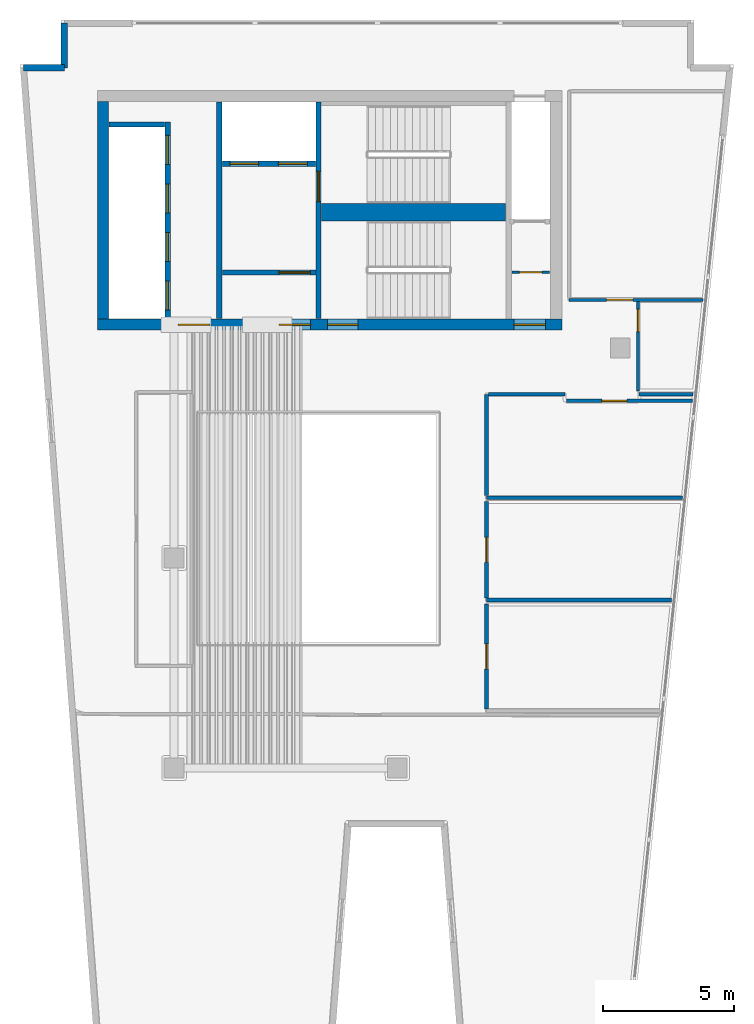
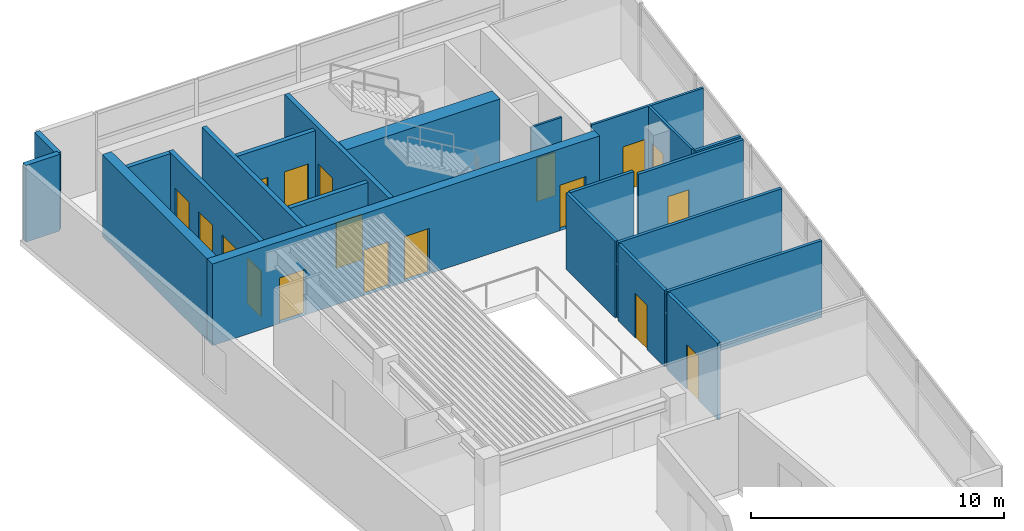
# One storey, part 3 of 6: 22 walls, 18 doors, 18 openings.
"""IFC4 building model written with IfcOpenShell, lengths in metres."""

import ifcopenshell
import ifcopenshell.guid

model = None  # the IFC model being written
_history = None  # IfcOwnerHistory: only IFC2X3 demands one
_inside = {}  # id of a spatial element -> (the spatial element, [elements in it])
_under = {}  # id of a project, library or spatial element -> (it, [spatial elements below it])
_declared = {}  # id of a project -> (the project, [libraries it declares])
_typed = {}  # id of a type object -> (the type object, [elements of that type])
_made_of = {}  # id of a material, layer set ... -> (it, [elements and type objects made of it])


def new_model(schema):
    """Start an empty IFC model of exactly this schema.

    Asked for "IFC4X3", IfcOpenShell would pick the latest addendum, in which some entities
    have other attributes; the version numbers below select the first issue.
    IFC2X3 requires an IfcOwnerHistory on every rooted entity: one is made here for all.
    """
    global model, _history
    if schema == "IFC4X3":
        model = ifcopenshell.file(schema_version=(4, 3, 0, 0))
    else:
        model = ifcopenshell.file(schema=schema)
    _inside.clear()
    _under.clear()
    _declared.clear()
    _typed.clear()
    _made_of.clear()
    _history = None
    if model.schema == "IFC2X3":
        org = make("IfcOrganization", Name="unknown")
        user = make(
            "IfcPersonAndOrganization",
            ThePerson=make("IfcPerson", FamilyName="unknown"),
            TheOrganization=org,
        )
        app = make(
            "IfcApplication",
            ApplicationDeveloper=org,
            Version="unknown",
            ApplicationFullName="unknown",
            ApplicationIdentifier="unknown",
        )
        _history = make(
            "IfcOwnerHistory",
            OwningUser=user,
            OwningApplication=app,
            ChangeAction="ADDED",
            CreationDate=0,
        )
    return model


def make(cls, **values):
    """One entity of the class cls with the attributes given. An attribute that is None is left unset."""
    return model.create_entity(
        cls, **{name: value for name, value in values.items() if value is not None}
    )


def rooted(cls, **values):
    """An entity with a GlobalId (a new one), such as an element, a storey or a relation."""
    return make(cls, GlobalId=ifcopenshell.guid.new(), OwnerHistory=_history, **values)


def si_unit(unit_type, name, prefix=None):
    """IfcSIUnit, for example si_unit("LENGTHUNIT", "METRE", prefix="MILLI")."""
    return make("IfcSIUnit", UnitType=unit_type, Prefix=prefix, Name=name)


def assignment(units):
    """IfcUnitAssignment: the units of a project."""
    return None if units is None else make("IfcUnitAssignment", Units=units)


def point(xyz):
    """IfcCartesianPoint."""
    return None if xyz is None else make("IfcCartesianPoint", Coordinates=xyz)


def direction(xyz):
    """IfcDirection."""
    return None if xyz is None else make("IfcDirection", DirectionRatios=xyz)


def frame(location, z_axis=None, x_axis=None):
    """IfcAxis2Placement3D, a coordinate frame: its origin and axes. An axis left out is left unset."""
    return make(
        "IfcAxis2Placement3D",
        Location=point(location),
        Axis=direction(z_axis),
        RefDirection=direction(x_axis),
    )


def frame_2d(location, x_axis=None):
    """IfcAxis2Placement2D, a coordinate frame in the plane: its origin and x axis."""
    return make(
        "IfcAxis2Placement2D", Location=point(location), RefDirection=direction(x_axis)
    )


def origin():
    """The frame at (0, 0, 0) with its axes left unset."""
    return frame((0.0, 0.0, 0.0))


def place(relative_to, where):
    """IfcLocalPlacement: puts the frame where relative to a parent placement (None: the world)."""
    return make(
        "IfcLocalPlacement", PlacementRelTo=relative_to, RelativePlacement=where
    )


def context(
    kind, dimensions, precision=None, world=None, true_north=None, identifier=None
):
    """IfcGeometricRepresentationContext, for example the 3D "Model" context."""
    return make(
        "IfcGeometricRepresentationContext",
        ContextIdentifier=identifier,
        ContextType=kind,
        CoordinateSpaceDimension=dimensions,
        Precision=precision,
        WorldCoordinateSystem=world,
        TrueNorth=true_north,
    )


def subcontext(parent, identifier, kind, view, scale=None):
    """IfcGeometricRepresentationSubContext, for example "Body" below "Model"."""
    return make(
        "IfcGeometricRepresentationSubContext",
        ContextIdentifier=identifier,
        ContextType=kind,
        ParentContext=parent,
        TargetScale=scale,
        TargetView=view,
    )


def project(units=None, contexts=None):
    """IfcProject with its units and contexts."""
    return rooted(
        "IfcProject",
        Name="project",
        RepresentationContexts=contexts,
        UnitsInContext=assignment(units),
    )


def spatial(cls, under=None, at=None, **own):
    """A site, building, storey or space (cls), placed at a placement, below another one or the project."""
    s = rooted(cls, ObjectPlacement=at, **own)
    if under is not None:
        _under.setdefault(under.id(), (under, []))[1].append(s)
    return s


def profile(cls, at=None, kind="AREA", **sizes):
    """A parametric profile (cls). Its sizes go by their IFC names, for example OverallWidth=200.0."""
    return make(cls, ProfileType=kind, Position=at, **sizes)


def rectangle(**sizes):
    """IfcRectangleProfileDef."""
    return profile("IfcRectangleProfileDef", **sizes)


def extrude(swept, where, along, depth):
    """IfcExtrudedAreaSolid: the profile swept, set in the frame where, extruded along a direction by depth."""
    return make(
        "IfcExtrudedAreaSolid",
        SweptArea=swept,
        Position=where,
        ExtrudedDirection=direction(along),
        Depth=depth,
    )


def shape(context_of_items, identifier, shape_type, items):
    """IfcShapeRepresentation: the items that make up one representation, for example the "Body"."""
    return make(
        "IfcShapeRepresentation",
        ContextOfItems=context_of_items,
        RepresentationIdentifier=identifier,
        RepresentationType=shape_type,
        Items=items,
    )


def material(Name=None, Category=None):
    """IfcMaterial."""
    return make("IfcMaterial", Name=Name, Category=Category)


def layer(
    of_material, thickness, ventilated=None, Name=None, Category=None, Priority=None
):
    """IfcMaterialLayer: one layer of a wall or slab, of a material (None: an air gap)."""
    return make(
        "IfcMaterialLayer",
        Material=of_material,
        LayerThickness=thickness,
        IsVentilated=ventilated,
        Name=Name,
        Category=Category,
        Priority=Priority,
    )


def layer_set(layers, Name=None):
    """IfcMaterialLayerSet."""
    return make("IfcMaterialLayerSet", MaterialLayers=layers, LayerSetName=Name)


def made_of(thing, what):
    """Note that an element or type object is made of a material, layer set ...; save() writes the relation."""
    if what is not None:
        _made_of.setdefault(what.id(), (what, []))[1].append(thing)
    return thing


def type_object(cls, material=None, **own):
    """A type object (cls), such as IfcWallType, which elements share."""
    return made_of(rooted(cls, **own), material)


def element(
    cls,
    number,
    at=None,
    inside=None,
    cuts=None,
    type_object=None,
    material=None,
    context=None,
    identifier="Body",
    shape_type=None,
    held_by="IfcProductDefinitionShape",
    body=None,
    shapes=None,
    **own,
):
    """One element of the class cls, such as IfcWall. Its Tag is "e" and its number.

    at: its placement. inside: the storey or other place that contains it. cuts: it is an
    opening in that element (IfcRelVoidsElement). A single representation is given by context,
    identifier, shape_type and body (its items); several are given by shapes. held_by: the class
    of the entity that holds the representations. save() writes the other relations.
    """
    e = rooted(cls, Tag="e%d" % number, ObjectPlacement=at, **own)
    if body is not None:
        shapes = [shape(context, identifier, shape_type, body)]
    if shapes is not None:
        e.Representation = make(held_by, Representations=shapes)
    if inside is not None:
        _inside.setdefault(inside.id(), (inside, []))[1].append(e)
    if cuts is not None:
        rooted(
            "IfcRelVoidsElement", RelatingBuildingElement=cuts, RelatedOpeningElement=e
        )
    if type_object is not None:
        _typed.setdefault(type_object.id(), (type_object, []))[1].append(e)
    return made_of(e, material)


def fill(opening, filler):
    """IfcRelFillsElement: the door or window that sits in an opening."""
    return rooted(
        "IfcRelFillsElement",
        RelatingOpeningElement=opening,
        RelatedBuildingElement=filler,
    )


def aggregate(whole, parts):
    """IfcRelAggregates: a whole, such as a stair, and the parts it consists of."""
    return rooted("IfcRelAggregates", RelatingObject=whole, RelatedObjects=parts)


def save(model, path):
    """Write the relations noted so far, then the file.

    IfcRelAggregates (storeys below a building ...), IfcRelContainedInSpatialStructure (elements
    in a storey), IfcRelDefinesByType, IfcRelAssociatesMaterial and IfcRelDeclares: one each for
    every whole, place, type object, material and project.
    """
    for whole, parts in _under.values():
        aggregate(whole, parts)
    for where, things in _inside.values():
        rooted(
            "IfcRelContainedInSpatialStructure",
            RelatedElements=things,
            RelatingStructure=where,
        )
    for kind, things in _typed.values():
        rooted("IfcRelDefinesByType", RelatedObjects=things, RelatingType=kind)
    for what, things in _made_of.values():
        rooted("IfcRelAssociatesMaterial", RelatedObjects=things, RelatingMaterial=what)
    for by, libraries in _declared.values():
        rooted("IfcRelDeclares", RelatingContext=by, RelatedDefinitions=libraries)
    model.write(path)


model = new_model("IFC4")

# Units and contexts
model_context = context("Model", 3, precision=1e-05, world=origin(), true_north=direction((0.0, 1.0)))
body_context = subcontext(model_context, "Body", "Model", "MODEL_VIEW")
ifc_project = project(units=[si_unit("LENGTHUNIT", "METRE"), si_unit("AREAUNIT", "SQUARE_METRE"), si_unit("VOLUMEUNIT", "CUBIC_METRE"), si_unit("PLANEANGLEUNIT", "RADIAN"), si_unit("MASSUNIT", "GRAM", prefix="KILO")], contexts=[model_context])

# Site, building, storey
site_placement = place(None, origin())
site = spatial("IfcSite", under=ifc_project, at=site_placement, CompositionType="ELEMENT")
building_placement = place(site_placement, origin())
building = spatial("IfcBuilding", under=site, at=building_placement, Name="Caeloran Harvest Quay", CompositionType="ELEMENT")
storey_placement = place(building_placement, frame((0.0, 0.0, 296.199951171875)))
storey = spatial("IfcBuildingStorey", under=building, at=storey_placement, Name="L71", CompositionType="ELEMENT", Elevation=296.199951171875)

# Walls
ifc_material_1 = material(Name="Precast concrete C50/60", Category="concrete")
ifc_layer_1 = layer(ifc_material_1, 0.239990234375, Name="Precast concrete C50/60")
ifc_layer_set_1 = layer_set([ifc_layer_1], Name="Precast concrete C50/60")
wall_type_1 = type_object("IfcWallType", Name="ENV-WALL-EW-240", PredefinedType="STANDARD", material=ifc_layer_set_1)
wall_1_placement = place(storey_placement, frame((2.7587890625, 41.679931640625, 0.0), z_axis=(0.0, 0.0, 1.0), x_axis=(1.0, 0.0, 0.0)))
element("IfcWall", 1, at=wall_1_placement, inside=storey, type_object=wall_type_1, Name="L71 Exterior Precast Concrete Facade Wall 4", PredefinedType="STANDARD", context=body_context, shape_type="SweptSolid", body=[
    extrude(rectangle(XDim=1.561279296875, YDim=0.239990234375, at=frame_2d((0.78076171875, 0.0))), origin(), (0.0, 0.0, 1.0), 3.699951171875),
])
wall_2_placement = place(storey_placement, frame((4.320068359375, 41.679931640625, 0.0), z_axis=(0.0, 0.0, 1.0), x_axis=(0.0, 1.0, 0.0)))
element("IfcWall", 2, at=wall_2_placement, inside=storey, type_object=wall_type_1, Name="L71 Exterior Precast Concrete Facade Wall 5", PredefinedType="STANDARD", context=body_context, shape_type="SweptSolid", body=[
    extrude(rectangle(XDim=1.699951171875, YDim=0.239990234375, at=frame_2d((0.85009765625, 0.0))), origin(), (0.0, 0.0, 1.0), 3.699951171875),
])

# Wall, opening, door
ifc_material_2 = material(Name="Fire-Resisting Gypsum Core Riser Partition", Category="gypsum")
ifc_layer_2 = layer(ifc_material_2, 0.10009765625, Name="Fire-Resisting Gypsum Core Riser Partition")
ifc_layer_set_2 = layer_set([ifc_layer_2], Name="Fire-Resisting Gypsum Core Riser Partition")
wall_type_2 = type_object("IfcWallType", Name="INT-WALL-PW-100", PredefinedType="PARTITIONING", material=ifc_layer_set_2)
wall_3_placement = place(storey_placement, frame((21.3798828125, 33.889892578125, 0.0), z_axis=(0.0, 0.0, 1.0), x_axis=(1.0, 0.0, 0.0)))
wall_3 = element("IfcWall", 3, at=wall_3_placement, inside=storey, type_object=wall_type_2, Name="L71 Cleaner Store Partition Wall", PredefinedType="PARTITIONING", context=body_context, shape_type="SweptSolid", body=[
    extrude(rectangle(XDim=1.420166015625, YDim=0.10009765625, at=frame_2d((0.7099609375, 0.0))), origin(), (0.0, 0.0, 1.0), 3.699951171875),
])
opening_1_placement = place(wall_3_placement, frame((0.280029296875, 0.0, 0.0)))
opening_1 = element("IfcOpeningElement", 4, at=opening_1_placement, cuts=wall_3, Name="Opening SV-01", PredefinedType="OPENING", context=body_context, shape_type="SweptSolid", body=[
    extrude(rectangle(XDim=0.85009765625, YDim=2.10009765625, at=frame_2d((0.425048828125, 1.050048828125))), frame((0.0, 0.06005859375, 0.0), z_axis=(0.0, -1.0, 0.0), x_axis=(1.0, 0.0, 0.0)), (0.0, 0.0, 1.0), 0.1201171875),
])
ifc_material_3 = material(Name="Galvanized Painted Steel", Category="steel")
door_type_1 = type_object("IfcDoorType", Name="INTDOOR-SV-01", OperationType="NOTDEFINED", PredefinedType="DOOR", material=ifc_material_3)
door_1_placement = place(opening_1_placement, origin())
door_1 = element("IfcDoor", 5, at=door_1_placement, inside=storey, type_object=door_type_1, Name="L71 Cleaner Supply Store Access Door", OperationType="SINGLE_SWING_RIGHT", OverallHeight=2.10009765625, OverallWidth=0.85009765625, PredefinedType="DOOR", context=body_context, shape_type="SweptSolid", body=[
    extrude(rectangle(XDim=0.85009765625, YDim=2.10009765625, at=frame_2d((0.425048828125, 1.050048828125))), frame((0.0, 0.02490234375, 0.0), z_axis=(0.0, -1.0, 0.0), x_axis=(1.0, 0.0, 0.0)), (0.0, 0.0, 1.0), 0.050048828125),
])
fill(opening_1, door_1)

ifc_material_4 = material(Name="Single-Stud Acoustic Gypsum Office Partition", Category="gypsum")
ifc_layer_3 = layer(ifc_material_4, 0.112060546875, Name="Single-Stud Acoustic Gypsum Office Partition")
ifc_layer_set_3 = layer_set([ifc_layer_3], Name="Single-Stud Acoustic Gypsum Office Partition")
wall_type_3 = type_object("IfcWallType", Name="INT-WALL-PW-112", PredefinedType="PARTITIONING", material=ifc_layer_set_3)
wall_4_placement = place(storey_placement, frame((28.654052734375, 32.840087890625, 0.0), z_axis=(0.0, 0.0, 1.0), x_axis=(-1.0, 0.0, 0.0)))
wall_4 = element("IfcWall", 6, at=wall_4_placement, inside=storey, type_object=wall_type_3, Name="L71 Bioinformatics and Crop Phenotyping Laboratory Partition Wall", PredefinedType="PARTITIONING", context=body_context, shape_type="SweptSolid", body=[
    extrude(rectangle(XDim=5.114013671875, YDim=0.112060546875, at=frame_2d((2.55712890625, 0.0))), origin(), (0.0, 0.0, 1.0), 3.699951171875),
])
opening_2_placement = place(wall_4_placement, frame((2.6767578125, 0.0, 0.0)))
opening_2 = element("IfcOpeningElement", 7, at=opening_2_placement, cuts=wall_4, Name="Opening ID-01", PredefinedType="OPENING", context=body_context, shape_type="SweptSolid", body=[
    extrude(rectangle(XDim=1.0, YDim=2.14990234375, at=frame_2d((0.5, 1.074951171875))), frame((0.0, 0.06591796875, 0.0), z_axis=(0.0, -1.0, 0.0), x_axis=(1.0, 0.0, 0.0)), (0.0, 0.0, 1.0), 0.132080078125),
])
ifc_material_5 = material(Name="FSC Solid-Core Ash Timber and Acoustic Seal", Category="wood")
door_type_2 = type_object("IfcDoorType", Name="INTDOOR-ID-01", OperationType="NOTDEFINED", PredefinedType="DOOR", material=ifc_material_5)
door_2_placement = place(opening_2_placement, origin())
door_2 = element("IfcDoor", 8, at=door_2_placement, inside=storey, type_object=door_type_2, Name="L71 Bioinformatics and Crop Phenotyping Laboratory Access Door", OperationType="SINGLE_SWING_RIGHT", OverallHeight=2.14990234375, OverallWidth=1.0, PredefinedType="DOOR", context=body_context, shape_type="SweptSolid", body=[
    extrude(rectangle(XDim=1.0, YDim=2.14990234375, at=frame_2d((0.5, 1.074951171875))), frame((0.0, 0.02490234375, 0.0), z_axis=(0.0, -1.0, 0.0), x_axis=(1.0, 0.0, 0.0)), (0.0, 0.0, 1.0), 0.050048828125),
])
fill(opening_2, door_2)

wall_5_placement = place(storey_placement, frame((26.179931640625, 29.3701171875, 0.0), z_axis=(0.0, 0.0, 1.0), x_axis=(0.0, 1.0, 0.0)))
wall_5 = element("IfcWall", 9, at=wall_5_placement, inside=storey, type_object=wall_type_3, Name="Advisory Council Boardroom Partition Wall", PredefinedType="PARTITIONING", context=body_context, shape_type="SweptSolid", body=[
    extrude(rectangle(XDim=3.408935546875, YDim=0.112060546875, at=frame_2d((1.70458984375, 0.0))), origin(), (0.0, 0.0, 1.0), 3.699951171875),
])
opening_3_placement = place(wall_5_placement, frame((2.25341796875, 0.0, 0.0)))
opening_3 = element("IfcOpeningElement", 10, at=opening_3_placement, cuts=wall_5, Name="Opening SV-01", PredefinedType="OPENING", context=body_context, shape_type="SweptSolid", body=[
    extrude(rectangle(XDim=0.85009765625, YDim=2.10009765625, at=frame_2d((0.425048828125, 1.050048828125))), frame((0.0, 0.06591796875, 0.0), z_axis=(0.0, -1.0, 0.0), x_axis=(1.0, 0.0, 0.0)), (0.0, 0.0, 1.0), 0.132080078125),
])
door_3_placement = place(opening_3_placement, origin())
door_3 = element("IfcDoor", 11, at=door_3_placement, inside=storey, type_object=door_type_1, Name="Advisory Council Boardroom Access Door", OperationType="SINGLE_SWING_LEFT", OverallHeight=2.10009765625, OverallWidth=0.85009765625, PredefinedType="DOOR", context=body_context, shape_type="SweptSolid", body=[
    extrude(rectangle(XDim=0.85009765625, YDim=2.10009765625, at=frame_2d((0.425048828125, 1.050048828125))), frame((0.0, 0.02490234375, 0.0), z_axis=(0.0, -1.0, 0.0), x_axis=(1.0, 0.0, 0.0)), (0.0, 0.0, 1.0), 0.050048828125),
])
fill(opening_3, door_3)

ifc_material_6 = material(Name="Moisture-Resistant Cement-Board Sanitary Partition", Category="gypsum")
ifc_layer_4 = layer(ifc_material_6, 0.139892578125, Name="Moisture-Resistant Cement-Board Sanitary Partition")
ifc_layer_set_4 = layer_set([ifc_layer_4], Name="Moisture-Resistant Cement-Board Sanitary Partition")
wall_type_4 = type_object("IfcWallType", Name="INT-WALL-PW-140", PredefinedType="PARTITIONING", material=ifc_layer_set_4)
wall_6_placement = place(storey_placement, frame((23.449951171875, 28.989990234375, 0.0), z_axis=(0.0, 0.0, 1.0), x_axis=(1.0, 0.0, 0.0)))
wall_6 = element("IfcWall", 12, at=wall_6_placement, inside=storey, type_object=wall_type_4, Name="L71 Male Washroom WC Partition Wall", PredefinedType="PARTITIONING", context=body_context, shape_type="SweptSolid", body=[
    extrude(rectangle(XDim=4.799560546875, YDim=0.139892578125, at=frame_2d((2.39990234375, 0.0))), origin(), (0.0, 0.0, 1.0), 3.699951171875),
])
opening_4_placement = place(wall_6_placement, frame((1.347412109375, 0.0, 0.0)))
opening_4 = element("IfcOpeningElement", 13, at=opening_4_placement, cuts=wall_6, Name="Opening WC-01", PredefinedType="OPENING", context=body_context, shape_type="SweptSolid", body=[
    extrude(rectangle(XDim=0.949951171875, YDim=2.14990234375, at=frame_2d((0.47509765625, 1.074951171875))), frame((0.0, 0.080078125, 0.0), z_axis=(0.0, -1.0, 0.0), x_axis=(1.0, 0.0, 0.0)), (0.0, 0.0, 1.0), 0.159912109375),
])
ifc_material_7 = material(Name="High-Pressure Laminate Moisture-Resistant Timber", Category="wood")
door_type_3 = type_object("IfcDoorType", Name="INTDOOR-WC-01", OperationType="NOTDEFINED", PredefinedType="DOOR", material=ifc_material_7)
door_4_placement = place(opening_4_placement, origin())
door_4 = element("IfcDoor", 14, at=door_4_placement, inside=storey, type_object=door_type_3, Name="L71 Male Washroom WC Access Door", OperationType="SINGLE_SWING_RIGHT", OverallHeight=2.14990234375, OverallWidth=0.949951171875, PredefinedType="DOOR", context=body_context, shape_type="SweptSolid", body=[
    extrude(rectangle(XDim=0.949951171875, YDim=2.14990234375, at=frame_2d((0.47509765625, 1.074951171875))), frame((0.0, 0.02490234375, 0.0), z_axis=(0.0, -1.0, 0.0), x_axis=(1.0, 0.0, 0.0)), (0.0, 0.0, 1.0), 0.050048828125),
])
fill(opening_4, door_4)

# Walls
wall_7_placement = place(storey_placement, frame((26.2099609375, 29.239990234375, 0.0), z_axis=(0.0, 0.0, 1.0), x_axis=(1.0, 0.0, 0.0)))
element("IfcWall", 15, at=wall_7_placement, inside=storey, type_object=wall_type_4, Name="L71 Male Washroom WC Partition Wall", PredefinedType="PARTITIONING", context=body_context, shape_type="SweptSolid", body=[
    extrude(rectangle(XDim=2.06591796875, YDim=0.139892578125, at=frame_2d((1.032958984375, 0.0))), origin(), (0.0, 0.0, 1.0), 3.699951171875),
])
wall_8_placement = place(storey_placement, frame((27.862060546875, 25.300048828125, 0.0), z_axis=(0.0, 0.0, 1.0), x_axis=(-1.0, 0.0, 0.0)))
element("IfcWall", 16, at=wall_8_placement, inside=storey, type_object=wall_type_4, Name="L71 Male Washroom WC Partition Wall", PredefinedType="PARTITIONING", context=body_context, shape_type="SweptSolid", body=[
    extrude(rectangle(XDim=7.462158203125, YDim=0.139892578125, at=frame_2d((3.73095703125, 0.0))), origin(), (0.0, 0.0, 1.0), 3.699951171875),
])
wall_9_placement = place(storey_placement, frame((20.39990234375, 25.375, 0.0), z_axis=(0.0, 0.0, 1.0), x_axis=(0.0, 1.0, 0.0)))
element("IfcWall", 17, at=wall_9_placement, inside=storey, type_object=wall_type_4, Name="L71 Male Washroom WC Partition Wall", PredefinedType="PARTITIONING", context=body_context, shape_type="SweptSolid", body=[
    extrude(rectangle(XDim=3.864990234375, YDim=0.139892578125, at=frame_2d((1.9326171875, 0.0))), origin(), (0.0, 0.0, 1.0), 3.699951171875),
])
wall_10_placement = place(storey_placement, frame((20.47509765625, 29.239990234375, 0.0), z_axis=(0.0, 0.0, 1.0), x_axis=(1.0, 0.0, 0.0)))
element("IfcWall", 18, at=wall_10_placement, inside=storey, type_object=wall_type_4, Name="L71 Male Washroom WC Partition Wall", PredefinedType="PARTITIONING", context=body_context, shape_type="SweptSolid", body=[
    extrude(rectangle(XDim=2.914794921875, YDim=0.139892578125, at=frame_2d((1.45751953125, 0.0))), origin(), (0.0, 0.0, 1.0), 3.699951171875),
])
wall_11_placement = place(storey_placement, frame((27.452392578125, 21.39990234375, 0.0), z_axis=(0.0, 0.0, 1.0), x_axis=(-1.0, 0.0, 0.0)))
element("IfcWall", 19, at=wall_11_placement, inside=storey, type_object=wall_type_4, Name="L71 Female Washroom WC Partition Wall", PredefinedType="PARTITIONING", context=body_context, shape_type="SweptSolid", body=[
    extrude(rectangle(XDim=7.052490234375, YDim=0.139892578125, at=frame_2d((3.5263671875, 0.0))), origin(), (0.0, 0.0, 1.0), 3.699951171875),
])

# Wall, opening, door
wall_12_placement = place(storey_placement, frame((20.39990234375, 21.47509765625, 0.0), z_axis=(0.0, 0.0, 1.0), x_axis=(0.0, 1.0, 0.0)))
wall_12 = element("IfcWall", 20, at=wall_12_placement, inside=storey, type_object=wall_type_4, Name="L71 Female Washroom WC Partition Wall", PredefinedType="PARTITIONING", context=body_context, shape_type="SweptSolid", body=[
    extrude(rectangle(XDim=3.6748046875, YDim=0.139892578125, at=frame_2d((1.83740234375, 0.0))), origin(), (0.0, 0.0, 1.0), 3.699951171875),
])
opening_5_placement = place(wall_12_placement, frame((1.362548828125, 0.0, 0.0)))
opening_5 = element("IfcOpeningElement", 21, at=opening_5_placement, cuts=wall_12, Name="Opening WC-01", PredefinedType="OPENING", context=body_context, shape_type="SweptSolid", body=[
    extrude(rectangle(XDim=0.949951171875, YDim=2.14990234375, at=frame_2d((0.47509765625, 1.074951171875))), frame((0.0, 0.080078125, 0.0), z_axis=(0.0, -1.0, 0.0), x_axis=(1.0, 0.0, 0.0)), (0.0, 0.0, 1.0), 0.159912109375),
])
door_5_placement = place(opening_5_placement, origin())
door_5 = element("IfcDoor", 22, at=door_5_placement, inside=storey, type_object=door_type_3, Name="L71 Female Washroom WC Access Door", OperationType="SINGLE_SWING_LEFT", OverallHeight=2.14990234375, OverallWidth=0.949951171875, PredefinedType="DOOR", context=body_context, shape_type="SweptSolid", body=[
    extrude(rectangle(XDim=0.949951171875, YDim=2.14990234375, at=frame_2d((0.47509765625, 1.074951171875))), frame((0.0, 0.02490234375, 0.0), z_axis=(0.0, -1.0, 0.0), x_axis=(1.0, 0.0, 0.0)), (0.0, 0.0, 1.0), 0.050048828125),
])
fill(opening_5, door_5)

wall_13_placement = place(storey_placement, frame((20.39990234375, 17.2548828125, 0.0), z_axis=(0.0, 0.0, 1.0), x_axis=(0.0, 1.0, 0.0)))
wall_13 = element("IfcWall", 23, at=wall_13_placement, inside=storey, type_object=wall_type_4, Name="L71 Accessible Unisex Washroom WC Partition Wall", PredefinedType="PARTITIONING", context=body_context, shape_type="SweptSolid", body=[
    extrude(rectangle(XDim=3.9951171875, YDim=0.139892578125, at=frame_2d((1.99755859375, 0.0))), origin(), (0.0, 0.0, 1.0), 3.699951171875),
])
opening_6_placement = place(wall_13_placement, frame((1.5224609375, 0.0, 0.0)))
opening_6 = element("IfcOpeningElement", 24, at=opening_6_placement, cuts=wall_13, Name="Opening WC-01", PredefinedType="OPENING", context=body_context, shape_type="SweptSolid", body=[
    extrude(rectangle(XDim=0.949951171875, YDim=2.14990234375, at=frame_2d((0.47509765625, 1.074951171875))), frame((0.0, 0.080078125, 0.0), z_axis=(0.0, -1.0, 0.0), x_axis=(1.0, 0.0, 0.0)), (0.0, 0.0, 1.0), 0.159912109375),
])
door_6_placement = place(opening_6_placement, origin())
door_6 = element("IfcDoor", 25, at=door_6_placement, inside=storey, type_object=door_type_3, Name="L71 Accessible Unisex Washroom WC Access Door", OperationType="SINGLE_SWING_RIGHT", OverallHeight=2.14990234375, OverallWidth=0.949951171875, PredefinedType="DOOR", context=body_context, shape_type="SweptSolid", body=[
    extrude(rectangle(XDim=0.949951171875, YDim=2.14990234375, at=frame_2d((0.47509765625, 1.074951171875))), frame((0.0, 0.02490234375, 0.0), z_axis=(0.0, -1.0, 0.0), x_axis=(1.0, 0.0, 0.0)), (0.0, 0.0, 1.0), 0.050048828125),
])
fill(opening_6, door_6)

# Wall, openings, doors
ifc_material_8 = material(Name="Concrete C50/60", Category="concrete")
ifc_layer_5 = layer(ifc_material_8, 0.199951171875, Name="Concrete C50/60")
ifc_layer_set_5 = layer_set([ifc_layer_5], Name="Concrete C50/60")
wall_type_5 = type_object("IfcWallType", Name="INT-WALL-SW-200", PredefinedType="PARTITIONING", material=ifc_layer_set_5)
wall_14_placement = place(storey_placement, frame((8.260009765625, 32.1201171875, 0.0), z_axis=(0.0, 0.0, 1.0), x_axis=(0.0, 1.0, 0.0)))
wall_14 = element("IfcWall", 26, at=wall_14_placement, inside=storey, type_object=wall_type_5, Name="L71 Bank 3 Lift Shaft Wall", PredefinedType="PARTITIONING", context=body_context, shape_type="SweptSolid", body=[
    extrude(rectangle(XDim=7.5, YDim=0.199951171875, at=frame_2d((3.75, 0.0))), origin(), (0.0, 0.0, 1.0), 3.699951171875),
])
opening_7_placement = place(wall_14_placement, frame((0.330078125, 0.0, 0.0)))
opening_7 = element("IfcOpeningElement", 27, at=opening_7_placement, cuts=wall_14, Name="Opening LD-01", PredefinedType="OPENING", context=body_context, shape_type="SweptSolid", body=[
    extrude(rectangle(XDim=1.10009765625, YDim=2.199951171875, at=frame_2d((0.550048828125, 1.10009765625))), frame((0.0, 0.10986328125, 0.0), z_axis=(0.0, -1.0, 0.0), x_axis=(1.0, 0.0, 0.0)), (0.0, 0.0, 1.0), 0.219970703125),
])
opening_8_placement = place(wall_14_placement, frame((2.179931640625, 0.0, 0.0)))
opening_8 = element("IfcOpeningElement", 28, at=opening_8_placement, cuts=wall_14, Name="Opening LD-01", PredefinedType="OPENING", context=body_context, shape_type="SweptSolid", body=[
    extrude(rectangle(XDim=1.10009765625, YDim=2.199951171875, at=frame_2d((0.550048828125, 1.10009765625))), frame((0.0, 0.10986328125, 0.0), z_axis=(0.0, -1.0, 0.0), x_axis=(1.0, 0.0, 0.0)), (0.0, 0.0, 1.0), 0.219970703125),
])
opening_9_placement = place(wall_14_placement, frame((4.030029296875, 0.0, 0.0)))
opening_9 = element("IfcOpeningElement", 29, at=opening_9_placement, cuts=wall_14, Name="Opening LD-01", PredefinedType="OPENING", context=body_context, shape_type="SweptSolid", body=[
    extrude(rectangle(XDim=1.10009765625, YDim=2.199951171875, at=frame_2d((0.550048828125, 1.10009765625))), frame((0.0, 0.10986328125, 0.0), z_axis=(0.0, -1.0, 0.0), x_axis=(1.0, 0.0, 0.0)), (0.0, 0.0, 1.0), 0.219970703125),
])
opening_10_placement = place(wall_14_placement, frame((5.8798828125, 0.0, 0.0)))
opening_10 = element("IfcOpeningElement", 30, at=opening_10_placement, cuts=wall_14, Name="Opening LD-01", PredefinedType="OPENING", context=body_context, shape_type="SweptSolid", body=[
    extrude(rectangle(XDim=1.10009765625, YDim=2.199951171875, at=frame_2d((0.550048828125, 1.10009765625))), frame((0.0, 0.10986328125, 0.0), z_axis=(0.0, -1.0, 0.0), x_axis=(1.0, 0.0, 0.0)), (0.0, 0.0, 1.0), 0.219970703125),
])
ifc_material_9 = material(Name="Stainless Steel Grade 316", Category="steel")
door_type_4 = type_object("IfcDoorType", Name="INTDOOR-LD-01", OperationType="NOTDEFINED", PredefinedType="DOOR", material=ifc_material_9)
door_7_placement = place(opening_7_placement, origin())
door_7 = element("IfcDoor", 31, at=door_7_placement, inside=storey, type_object=door_type_4, Name="Lift P3-1 Sliding Landing Door (L71)", OperationType="DOUBLE_DOOR_SLIDING", OverallHeight=2.199951171875, OverallWidth=1.10009765625, PredefinedType="DOOR", context=body_context, shape_type="SweptSolid", body=[
    extrude(rectangle(XDim=1.10009765625, YDim=2.199951171875, at=frame_2d((0.550048828125, 1.10009765625))), frame((0.0, 0.02490234375, 0.0), z_axis=(0.0, -1.0, 0.0), x_axis=(1.0, 0.0, 0.0)), (0.0, 0.0, 1.0), 0.050048828125),
])
fill(opening_7, door_7)
door_8_placement = place(opening_8_placement, origin())
door_8 = element("IfcDoor", 32, at=door_8_placement, inside=storey, type_object=door_type_4, Name="Lift P3-2 Sliding Landing Door (L71)", OperationType="DOUBLE_DOOR_SLIDING", OverallHeight=2.199951171875, OverallWidth=1.10009765625, PredefinedType="DOOR", context=body_context, shape_type="SweptSolid", body=[
    extrude(rectangle(XDim=1.10009765625, YDim=2.199951171875, at=frame_2d((0.550048828125, 1.10009765625))), frame((0.0, 0.02490234375, 0.0), z_axis=(0.0, -1.0, 0.0), x_axis=(1.0, 0.0, 0.0)), (0.0, 0.0, 1.0), 0.050048828125),
])
fill(opening_8, door_8)
door_9_placement = place(opening_9_placement, origin())
door_9 = element("IfcDoor", 33, at=door_9_placement, inside=storey, type_object=door_type_4, Name="Lift P3-3 Sliding Landing Door (L71)", OperationType="DOUBLE_DOOR_SLIDING", OverallHeight=2.199951171875, OverallWidth=1.10009765625, PredefinedType="DOOR", context=body_context, shape_type="SweptSolid", body=[
    extrude(rectangle(XDim=1.10009765625, YDim=2.199951171875, at=frame_2d((0.550048828125, 1.10009765625))), frame((0.0, 0.02490234375, 0.0), z_axis=(0.0, -1.0, 0.0), x_axis=(1.0, 0.0, 0.0)), (0.0, 0.0, 1.0), 0.050048828125),
])
fill(opening_9, door_9)
door_10_placement = place(opening_10_placement, origin())
door_10 = element("IfcDoor", 34, at=door_10_placement, inside=storey, type_object=door_type_4, Name="Lift P3-4 Sliding Landing Door (L71)", OperationType="DOUBLE_DOOR_SLIDING", OverallHeight=2.199951171875, OverallWidth=1.10009765625, PredefinedType="DOOR", context=body_context, shape_type="SweptSolid", body=[
    extrude(rectangle(XDim=1.10009765625, YDim=2.199951171875, at=frame_2d((0.550048828125, 1.10009765625))), frame((0.0, 0.02490234375, 0.0), z_axis=(0.0, -1.0, 0.0), x_axis=(1.0, 0.0, 0.0)), (0.0, 0.0, 1.0), 0.050048828125),
])
fill(opening_10, door_10)

# Walls
wall_15_placement = place(storey_placement, frame((6.02001953125, 39.52001953125, 0.0), z_axis=(0.0, 0.0, 1.0), x_axis=(1.0, 0.0, 0.0)))
element("IfcWall", 35, at=wall_15_placement, inside=storey, type_object=wall_type_5, Name="L71 Bank 3 Lift Shaft North End Wall", PredefinedType="PARTITIONING", context=body_context, shape_type="SweptSolid", body=[
    extrude(rectangle(XDim=2.119873046875, YDim=0.199951171875, at=frame_2d((1.06005859375, 0.0))), origin(), (0.0, 0.0, 1.0), 3.699951171875),
])
wall_16_placement = place(storey_placement, frame((10.219970703125, 32.1201171875, 0.0), z_axis=(0.0, 0.0, 1.0), x_axis=(0.0, 1.0, 0.0)))
element("IfcWall", 36, at=wall_16_placement, inside=storey, type_object=wall_type_5, Name="L71 Core Lobby Compartment Wall", PredefinedType="PARTITIONING", context=body_context, shape_type="SweptSolid", body=[
    extrude(rectangle(XDim=8.259765625, YDim=0.199951171875, at=frame_2d((4.1298828125, 0.0))), origin(), (0.0, 0.0, 1.0), 3.699951171875),
])

# Wall, openings, doors
wall_17_placement = place(storey_placement, frame((10.340087890625, 38.02001953125, 0.0), z_axis=(0.0, 0.0, 1.0), x_axis=(1.0, 0.0, 0.0)))
wall_17 = element("IfcWall", 37, at=wall_17_placement, inside=storey, type_object=wall_type_5, Name="L71 Firefighting Lift Shaft Wall", PredefinedType="PARTITIONING", context=body_context, shape_type="SweptSolid", body=[
    extrude(rectangle(XDim=3.539794921875, YDim=0.199951171875, at=frame_2d((1.77001953125, 0.0))), origin(), (0.0, 0.0, 1.0), 3.699951171875),
])
opening_11_placement = place(wall_17_placement, frame((0.284912109375, 0.0, 0.0)))
opening_11 = element("IfcOpeningElement", 38, at=opening_11_placement, cuts=wall_17, Name="Opening LD-01", PredefinedType="OPENING", context=body_context, shape_type="SweptSolid", body=[
    extrude(rectangle(XDim=1.10009765625, YDim=2.199951171875, at=frame_2d((0.550048828125, 1.10009765625))), frame((0.0, 0.10986328125, 0.0), z_axis=(0.0, -1.0, 0.0), x_axis=(1.0, 0.0, 0.0)), (0.0, 0.0, 1.0), 0.219970703125),
])
opening_12_placement = place(wall_17_placement, frame((2.135009765625, 0.0, 0.0)))
opening_12 = element("IfcOpeningElement", 39, at=opening_12_placement, cuts=wall_17, Name="Opening LD-01", PredefinedType="OPENING", context=body_context, shape_type="SweptSolid", body=[
    extrude(rectangle(XDim=1.10009765625, YDim=2.199951171875, at=frame_2d((0.550048828125, 1.10009765625))), frame((0.0, 0.10986328125, 0.0), z_axis=(0.0, -1.0, 0.0), x_axis=(1.0, 0.0, 0.0)), (0.0, 0.0, 1.0), 0.219970703125),
])
door_11_placement = place(opening_11_placement, origin())
door_11 = element("IfcDoor", 40, at=door_11_placement, inside=storey, type_object=door_type_4, Name="Lift FF-1 Sliding Landing Door (L71)", OperationType="DOUBLE_DOOR_SLIDING", OverallHeight=2.199951171875, OverallWidth=1.10009765625, PredefinedType="DOOR", context=body_context, shape_type="SweptSolid", body=[
    extrude(rectangle(XDim=1.10009765625, YDim=2.199951171875, at=frame_2d((0.550048828125, 1.10009765625))), frame((0.0, 0.02490234375, 0.0), z_axis=(0.0, -1.0, 0.0), x_axis=(1.0, 0.0, 0.0)), (0.0, 0.0, 1.0), 0.050048828125),
])
fill(opening_11, door_11)
door_12_placement = place(opening_12_placement, origin())
door_12 = element("IfcDoor", 41, at=door_12_placement, inside=storey, type_object=door_type_4, Name="Lift FF-2 Sliding Landing Door (L71)", OperationType="DOUBLE_DOOR_SLIDING", OverallHeight=2.199951171875, OverallWidth=1.10009765625, PredefinedType="DOOR", context=body_context, shape_type="SweptSolid", body=[
    extrude(rectangle(XDim=1.10009765625, YDim=2.199951171875, at=frame_2d((0.550048828125, 1.10009765625))), frame((0.0, 0.02490234375, 0.0), z_axis=(0.0, -1.0, 0.0), x_axis=(1.0, 0.0, 0.0)), (0.0, 0.0, 1.0), 0.050048828125),
])
fill(opening_12, door_12)

# Wall, opening, door
wall_18_placement = place(storey_placement, frame((10.340087890625, 33.8798828125, 0.0), z_axis=(0.0, 0.0, 1.0), x_axis=(1.0, 0.0, 0.0)))
wall_18 = element("IfcWall", 42, at=wall_18_placement, inside=storey, type_object=wall_type_5, Name="L71 Firefighting Lift Lobby Enclosure Wall", PredefinedType="PARTITIONING", context=body_context, shape_type="SweptSolid", body=[
    extrude(rectangle(XDim=3.559814453125, YDim=0.199951171875, at=frame_2d((1.77978515625, 0.0))), origin(), (0.0, 0.0, 1.0), 3.699951171875),
])
opening_13_placement = place(wall_18_placement, frame((2.14990234375, 0.0, 0.0)))
opening_13 = element("IfcOpeningElement", 43, at=opening_13_placement, cuts=wall_18, Name="Opening FD-01", PredefinedType="OPENING", context=body_context, shape_type="SweptSolid", body=[
    extrude(rectangle(XDim=1.199951171875, YDim=2.199951171875, at=frame_2d((0.60009765625, 1.10009765625))), frame((0.0, 0.10986328125, 0.0), z_axis=(0.0, -1.0, 0.0), x_axis=(1.0, 0.0, 0.0)), (0.0, 0.0, 1.0), 0.219970703125),
])
ifc_material_10 = material(Name="Steel", Category="steel")
door_type_5 = type_object("IfcDoorType", Name="INTDOOR-FD-01", OperationType="NOTDEFINED", PredefinedType="DOOR", material=ifc_material_10)
door_13_placement = place(opening_13_placement, origin())
door_13 = element("IfcDoor", 44, at=door_13_placement, inside=storey, type_object=door_type_5, Name="L71 Firefighting Lift Lobby Smoke-Seal Fire Door", OperationType="SINGLE_SWING_RIGHT", OverallHeight=2.199951171875, OverallWidth=1.199951171875, PredefinedType="DOOR", context=body_context, shape_type="SweptSolid", body=[
    extrude(rectangle(XDim=1.199951171875, YDim=2.199951171875, at=frame_2d((0.60009765625, 1.10009765625))), frame((0.0, 0.02490234375, 0.0), z_axis=(0.0, -1.0, 0.0), x_axis=(1.0, 0.0, 0.0)), (0.0, 0.0, 1.0), 0.050048828125),
])
fill(opening_13, door_13)

# Wall, openings, doors
ifc_material_11 = material(Name="Concrete C60/75", Category="concrete")
ifc_layer_6 = layer(ifc_material_11, 0.419921875, Name="Concrete C60/75")
ifc_layer_set_6 = layer_set([ifc_layer_6], Name="Concrete C60/75")
wall_type_6 = type_object("IfcWallType", Name="STR-WALL-CW-420", PredefinedType="SHEAR", material=ifc_layer_set_6)
wall_19_placement = place(storey_placement, frame((5.580078125, 31.889892578125, 0.0), z_axis=(0.0, 0.0, 1.0), x_axis=(1.0, 0.0, 0.0)))
wall_19 = element("IfcWall", 45, at=wall_19_placement, inside=storey, type_object=wall_type_6, Name="L71 Rear Core Shear Wall S", PredefinedType="SHEAR", context=body_context, shape_type="SweptSolid", body=[
    extrude(rectangle(XDim=17.68994140625, YDim=0.419921875, at=frame_2d((8.844970703125, 0.0))), origin(), (0.0, 0.0, 1.0), 3.949951171875),
])
opening_14_placement = place(wall_19_placement, frame((3.070068359375, 0.0, 0.0)))
opening_14 = element("IfcOpeningElement", 46, at=opening_14_placement, cuts=wall_19, Name="Opening FD-01", PredefinedType="OPENING", context=body_context, shape_type="SweptSolid", body=[
    extrude(rectangle(XDim=1.199951171875, YDim=2.199951171875, at=frame_2d((0.60009765625, 1.10009765625))), frame((0.0, 0.219970703125, 0.0), z_axis=(0.0, -1.0, 0.0), x_axis=(1.0, 0.0, 0.0)), (0.0, 0.0, 1.0), 0.43994140625),
])
opening_15_placement = place(wall_19_placement, frame((6.919921875, 0.0, 0.0)))
opening_15 = element("IfcOpeningElement", 47, at=opening_15_placement, cuts=wall_19, Name="Opening FD-01", PredefinedType="OPENING", context=body_context, shape_type="SweptSolid", body=[
    extrude(rectangle(XDim=1.199951171875, YDim=2.199951171875, at=frame_2d((0.60009765625, 1.10009765625))), frame((0.0, 0.219970703125, 0.0), z_axis=(0.0, -1.0, 0.0), x_axis=(1.0, 0.0, 0.0)), (0.0, 0.0, 1.0), 0.43994140625),
])
opening_16_placement = place(wall_19_placement, frame((8.77001953125, 0.0, 0.0)))
opening_16 = element("IfcOpeningElement", 48, at=opening_16_placement, cuts=wall_19, Name="Opening SD-01", PredefinedType="OPENING", context=body_context, shape_type="SweptSolid", body=[
    extrude(rectangle(XDim=1.14990234375, YDim=2.199951171875, at=frame_2d((0.574951171875, 1.10009765625))), frame((0.0, 0.219970703125, 0.0), z_axis=(0.0, -1.0, 0.0), x_axis=(1.0, 0.0, 0.0)), (0.0, 0.0, 1.0), 0.43994140625),
])
opening_17_placement = place(wall_19_placement, frame((15.8701171875, 0.0, 0.0)))
opening_17 = element("IfcOpeningElement", 49, at=opening_17_placement, cuts=wall_19, Name="Opening FD-01", PredefinedType="OPENING", context=body_context, shape_type="SweptSolid", body=[
    extrude(rectangle(XDim=1.199951171875, YDim=2.199951171875, at=frame_2d((0.60009765625, 1.10009765625))), frame((0.0, 0.219970703125, 0.0), z_axis=(0.0, -1.0, 0.0), x_axis=(1.0, 0.0, 0.0)), (0.0, 0.0, 1.0), 0.43994140625),
])
door_14_placement = place(opening_14_placement, origin())
door_14 = element("IfcDoor", 50, at=door_14_placement, inside=storey, type_object=door_type_5, Name="L71 High-Rise Lift Lobby Fire Door", OperationType="SINGLE_SWING_RIGHT", OverallHeight=2.199951171875, OverallWidth=1.199951171875, PredefinedType="DOOR", context=body_context, shape_type="SweptSolid", body=[
    extrude(rectangle(XDim=1.199951171875, YDim=2.199951171875, at=frame_2d((0.60009765625, 1.10009765625))), frame((0.0, 0.02490234375, 0.0), z_axis=(0.0, -1.0, 0.0), x_axis=(1.0, 0.0, 0.0)), (0.0, 0.0, 1.0), 0.050048828125),
])
fill(opening_14, door_14)
door_15_placement = place(opening_15_placement, origin())
door_15 = element("IfcDoor", 51, at=door_15_placement, inside=storey, type_object=door_type_5, Name="L71 Firefighting Lobby Vestibule Fire Door", OperationType="SINGLE_SWING_LEFT", OverallHeight=2.199951171875, OverallWidth=1.199951171875, PredefinedType="DOOR", context=body_context, shape_type="SweptSolid", body=[
    extrude(rectangle(XDim=1.199951171875, YDim=2.199951171875, at=frame_2d((0.60009765625, 1.10009765625))), frame((0.0, 0.02490234375, 0.0), z_axis=(0.0, -1.0, 0.0), x_axis=(1.0, 0.0, 0.0)), (0.0, 0.0, 1.0), 0.050048828125),
])
fill(opening_15, door_15)
door_16_placement = place(opening_17_placement, origin())
door_16 = element("IfcDoor", 52, at=door_16_placement, inside=storey, type_object=door_type_5, Name="L71 Service Lift Lobby Fire Door", OperationType="SINGLE_SWING_LEFT", OverallHeight=2.199951171875, OverallWidth=1.199951171875, PredefinedType="DOOR", context=body_context, shape_type="SweptSolid", body=[
    extrude(rectangle(XDim=1.199951171875, YDim=2.199951171875, at=frame_2d((0.60009765625, 1.10009765625))), frame((0.0, 0.02490234375, 0.0), z_axis=(0.0, -1.0, 0.0), x_axis=(1.0, 0.0, 0.0)), (0.0, 0.0, 1.0), 0.050048828125),
])
fill(opening_17, door_16)
door_type_6 = type_object("IfcDoorType", Name="INTDOOR-SD-01", OperationType="NOTDEFINED", PredefinedType="DOOR", material=ifc_material_10)
door_17_placement = place(opening_16_placement, origin())
door_17 = element("IfcDoor", 53, at=door_17_placement, inside=storey, type_object=door_type_6, Name="L71 Protected Stair ST-C2 Exit Door", OperationType="SINGLE_SWING_RIGHT", OverallHeight=2.199951171875, OverallWidth=1.14990234375, PredefinedType="DOOR", context=body_context, shape_type="SweptSolid", body=[
    extrude(rectangle(XDim=1.14990234375, YDim=2.199951171875, at=frame_2d((0.574951171875, 1.10009765625))), frame((0.0, 0.02490234375, 0.0), z_axis=(0.0, -1.0, 0.0), x_axis=(1.0, 0.0, 0.0)), (0.0, 0.0, 1.0), 0.050048828125),
])
fill(opening_16, door_17)

# Walls
wall_20_placement = place(storey_placement, frame((5.7900390625, 32.10009765625, 0.0), z_axis=(0.0, 0.0, 1.0), x_axis=(0.0, 1.0, 0.0)))
element("IfcWall", 54, at=wall_20_placement, inside=storey, type_object=wall_type_6, Name="L71 Rear Core Shear Wall W", PredefinedType="SHEAR", context=body_context, shape_type="SweptSolid", body=[
    extrude(rectangle(XDim=8.2998046875, YDim=0.419921875, at=frame_2d((4.14990234375, 0.0))), origin(), (0.0, 0.0, 1.0), 3.949951171875),
])
ifc_layer_7 = layer(ifc_material_11, 0.64990234375, Name="Concrete C60/75")
ifc_layer_set_7 = layer_set([ifc_layer_7], Name="Concrete C60/75")
wall_type_7 = type_object("IfcWallType", Name="STR-WALL-CW-650", PredefinedType="SHEAR", material=ifc_layer_set_7)
wall_21_placement = place(storey_placement, frame((14.1201171875, 36.175048828125, 0.0), z_axis=(0.0, 0.0, 1.0), x_axis=(1.0, 0.0, 0.0)))
element("IfcWall", 55, at=wall_21_placement, inside=storey, type_object=wall_type_7, Name="L71 Core Stairs Dividing Shear Wall", PredefinedType="SHEAR", context=body_context, shape_type="SweptSolid", body=[
    extrude(rectangle(XDim=7.009765625, YDim=0.64990234375, at=frame_2d((3.5048828125, 0.0))), origin(), (0.0, 0.0, 1.0), 3.949951171875),
])

# Wall, opening, door
ifc_layer_8 = layer(ifc_material_11, 0.199951171875, Name="Concrete C60/75")
ifc_layer_set_8 = layer_set([ifc_layer_8], Name="Concrete C60/75")
wall_type_8 = type_object("IfcWallType", Name="STR-WALL-SW-200", PredefinedType="SHEAR", material=ifc_layer_set_8)
wall_22_placement = place(storey_placement, frame((14.0, 32.1201171875, 0.0), z_axis=(0.0, 0.0, 1.0), x_axis=(0.0, 1.0, 0.0)))
wall_22 = element("IfcWall", 56, at=wall_22_placement, inside=storey, type_object=wall_type_8, Name="L71 Core Stair Shaft West Shear Wall", PredefinedType="SHEAR", context=body_context, shape_type="SweptSolid", body=[
    extrude(rectangle(XDim=8.259765625, YDim=0.199951171875, at=frame_2d((4.1298828125, 0.0))), origin(), (0.0, 0.0, 1.0), 3.949951171875),
])
opening_18_placement = place(wall_22_placement, frame((4.4599609375, 0.0, 0.0)))
opening_18 = element("IfcOpeningElement", 57, at=opening_18_placement, cuts=wall_22, Name="Opening SD-01", PredefinedType="OPENING", context=body_context, shape_type="SweptSolid", body=[
    extrude(rectangle(XDim=1.14990234375, YDim=2.199951171875, at=frame_2d((0.574951171875, 1.10009765625))), frame((0.0, 0.10986328125, 0.0), z_axis=(0.0, -1.0, 0.0), x_axis=(1.0, 0.0, 0.0)), (0.0, 0.0, 1.0), 0.219970703125),
])
door_18_placement = place(opening_18_placement, origin())
door_18 = element("IfcDoor", 58, at=door_18_placement, inside=storey, type_object=door_type_6, Name="L71 Protected Stair ST-C1 Exit Door", OperationType="SINGLE_SWING_LEFT", OverallHeight=2.199951171875, OverallWidth=1.14990234375, PredefinedType="DOOR", context=body_context, shape_type="SweptSolid", body=[
    extrude(rectangle(XDim=1.14990234375, YDim=2.199951171875, at=frame_2d((0.574951171875, 1.10009765625))), frame((0.0, 0.02490234375, 0.0), z_axis=(0.0, -1.0, 0.0), x_axis=(1.0, 0.0, 0.0)), (0.0, 0.0, 1.0), 0.050048828125),
])
fill(opening_18, door_18)

save(model, "model.ifc")
